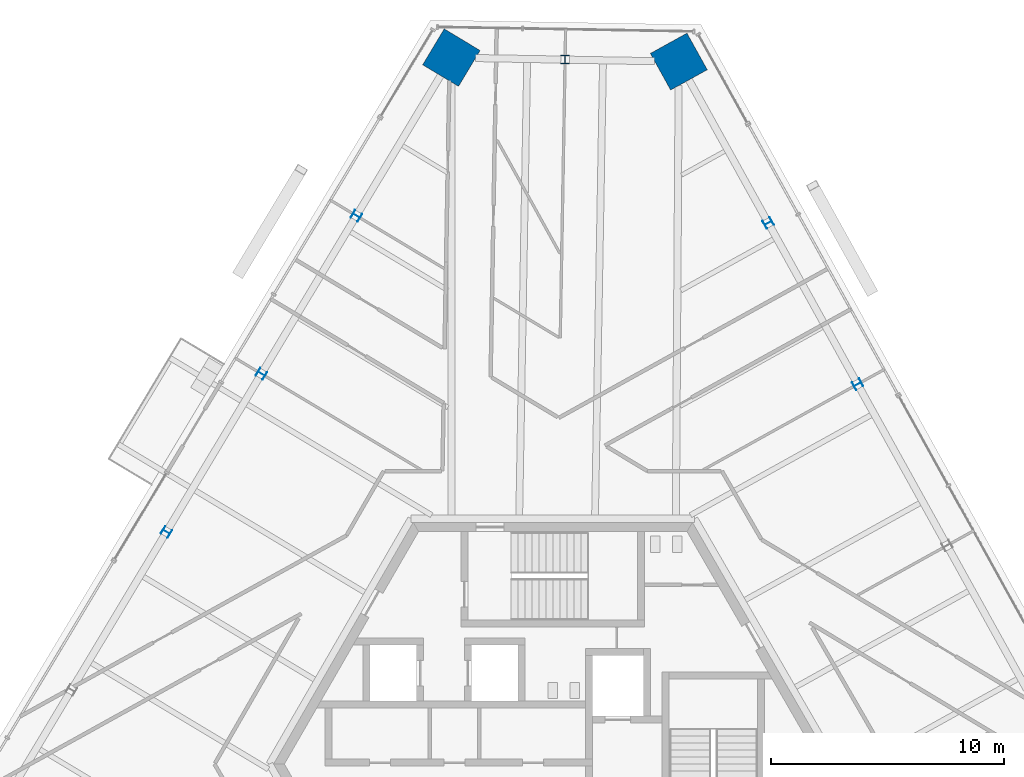
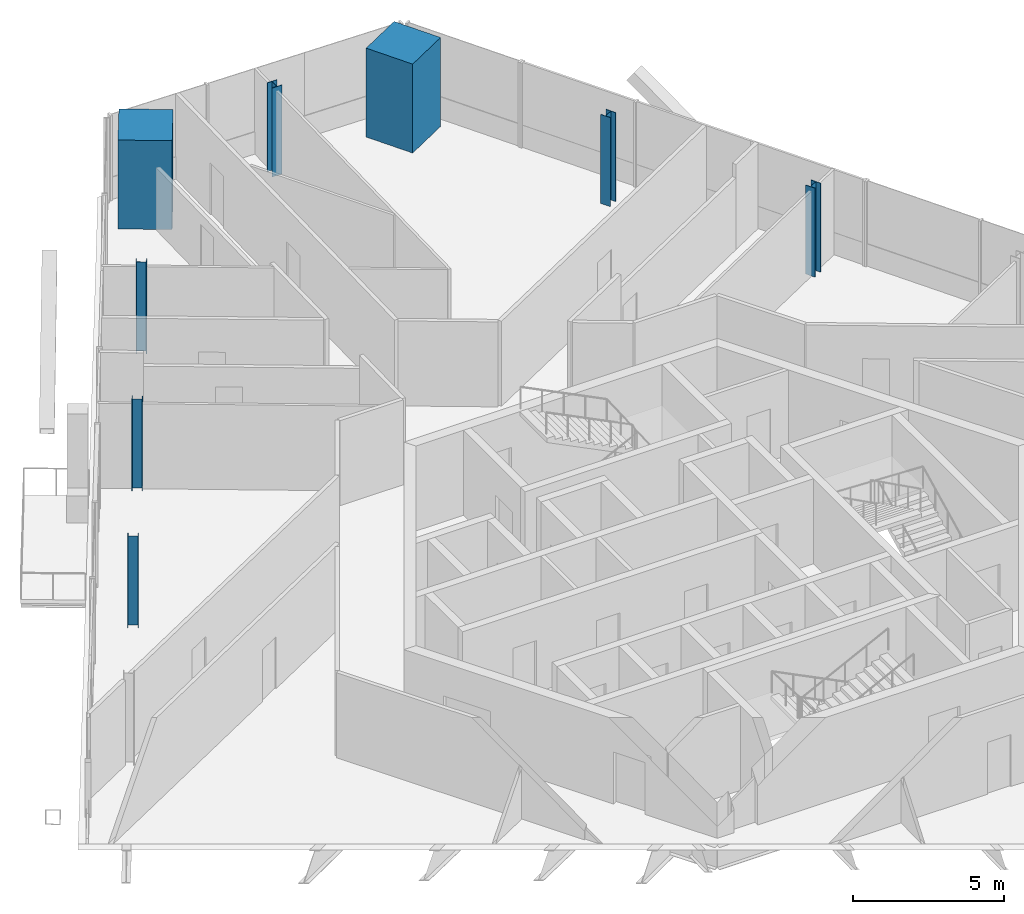
# One storey, part 3 of 19: 8 columns.
"""IFC4 building model written with IfcOpenShell, lengths in metres."""

import ifcopenshell
import ifcopenshell.guid

model = None  # the IFC model being written
_history = None  # IfcOwnerHistory: only IFC2X3 demands one
_inside = {}  # id of a spatial element -> (the spatial element, [elements in it])
_under = {}  # id of a project, library or spatial element -> (it, [spatial elements below it])
_declared = {}  # id of a project -> (the project, [libraries it declares])
_typed = {}  # id of a type object -> (the type object, [elements of that type])
_made_of = {}  # id of a material, layer set ... -> (it, [elements and type objects made of it])


def new_model(schema):
    """Start an empty IFC model of exactly this schema.

    Asked for "IFC4X3", IfcOpenShell would pick the latest addendum, in which some entities
    have other attributes; the version numbers below select the first issue.
    IFC2X3 requires an IfcOwnerHistory on every rooted entity: one is made here for all.
    """
    global model, _history
    if schema == "IFC4X3":
        model = ifcopenshell.file(schema_version=(4, 3, 0, 0))
    else:
        model = ifcopenshell.file(schema=schema)
    _inside.clear()
    _under.clear()
    _declared.clear()
    _typed.clear()
    _made_of.clear()
    _history = None
    if model.schema == "IFC2X3":
        org = make("IfcOrganization", Name="unknown")
        user = make(
            "IfcPersonAndOrganization",
            ThePerson=make("IfcPerson", FamilyName="unknown"),
            TheOrganization=org,
        )
        app = make(
            "IfcApplication",
            ApplicationDeveloper=org,
            Version="unknown",
            ApplicationFullName="unknown",
            ApplicationIdentifier="unknown",
        )
        _history = make(
            "IfcOwnerHistory",
            OwningUser=user,
            OwningApplication=app,
            ChangeAction="ADDED",
            CreationDate=0,
        )
    return model


def make(cls, **values):
    """One entity of the class cls with the attributes given. An attribute that is None is left unset."""
    return model.create_entity(
        cls, **{name: value for name, value in values.items() if value is not None}
    )


def rooted(cls, **values):
    """An entity with a GlobalId (a new one), such as an element, a storey or a relation."""
    return make(cls, GlobalId=ifcopenshell.guid.new(), OwnerHistory=_history, **values)


def si_unit(unit_type, name, prefix=None):
    """IfcSIUnit, for example si_unit("LENGTHUNIT", "METRE", prefix="MILLI")."""
    return make("IfcSIUnit", UnitType=unit_type, Prefix=prefix, Name=name)


def assignment(units):
    """IfcUnitAssignment: the units of a project."""
    return None if units is None else make("IfcUnitAssignment", Units=units)


def point(xyz):
    """IfcCartesianPoint."""
    return None if xyz is None else make("IfcCartesianPoint", Coordinates=xyz)


def direction(xyz):
    """IfcDirection."""
    return None if xyz is None else make("IfcDirection", DirectionRatios=xyz)


def frame(location, z_axis=None, x_axis=None):
    """IfcAxis2Placement3D, a coordinate frame: its origin and axes. An axis left out is left unset."""
    return make(
        "IfcAxis2Placement3D",
        Location=point(location),
        Axis=direction(z_axis),
        RefDirection=direction(x_axis),
    )


def frame_2d(location, x_axis=None):
    """IfcAxis2Placement2D, a coordinate frame in the plane: its origin and x axis."""
    return make(
        "IfcAxis2Placement2D", Location=point(location), RefDirection=direction(x_axis)
    )


def origin():
    """The frame at (0, 0, 0) with its axes left unset."""
    return frame((0.0, 0.0, 0.0))


def origin_2d():
    """The frame at (0, 0) in the plane with its x axis left unset."""
    return frame_2d((0.0, 0.0))


def place(relative_to, where):
    """IfcLocalPlacement: puts the frame where relative to a parent placement (None: the world)."""
    return make(
        "IfcLocalPlacement", PlacementRelTo=relative_to, RelativePlacement=where
    )


def context(
    kind, dimensions, precision=None, world=None, true_north=None, identifier=None
):
    """IfcGeometricRepresentationContext, for example the 3D "Model" context."""
    return make(
        "IfcGeometricRepresentationContext",
        ContextIdentifier=identifier,
        ContextType=kind,
        CoordinateSpaceDimension=dimensions,
        Precision=precision,
        WorldCoordinateSystem=world,
        TrueNorth=true_north,
    )


def subcontext(parent, identifier, kind, view, scale=None):
    """IfcGeometricRepresentationSubContext, for example "Body" below "Model"."""
    return make(
        "IfcGeometricRepresentationSubContext",
        ContextIdentifier=identifier,
        ContextType=kind,
        ParentContext=parent,
        TargetScale=scale,
        TargetView=view,
    )


def project(units=None, contexts=None):
    """IfcProject with its units and contexts."""
    return rooted(
        "IfcProject",
        Name="project",
        RepresentationContexts=contexts,
        UnitsInContext=assignment(units),
    )


def spatial(cls, under=None, at=None, **own):
    """A site, building, storey or space (cls), placed at a placement, below another one or the project."""
    s = rooted(cls, ObjectPlacement=at, **own)
    if under is not None:
        _under.setdefault(under.id(), (under, []))[1].append(s)
    return s


def profile(cls, at=None, kind="AREA", **sizes):
    """A parametric profile (cls). Its sizes go by their IFC names, for example OverallWidth=200.0."""
    return make(cls, ProfileType=kind, Position=at, **sizes)


def rectangle(**sizes):
    """IfcRectangleProfileDef."""
    return profile("IfcRectangleProfileDef", **sizes)


def i_section(**sizes):
    """IfcIShapeProfileDef."""
    return profile("IfcIShapeProfileDef", **sizes)


def extrude(swept, where, along, depth):
    """IfcExtrudedAreaSolid: the profile swept, set in the frame where, extruded along a direction by depth."""
    return make(
        "IfcExtrudedAreaSolid",
        SweptArea=swept,
        Position=where,
        ExtrudedDirection=direction(along),
        Depth=depth,
    )


def shape(context_of_items, identifier, shape_type, items):
    """IfcShapeRepresentation: the items that make up one representation, for example the "Body"."""
    return make(
        "IfcShapeRepresentation",
        ContextOfItems=context_of_items,
        RepresentationIdentifier=identifier,
        RepresentationType=shape_type,
        Items=items,
    )


def source(mapping_origin, context_of_items, identifier, shape_type, items):
    """IfcRepresentationMap: a shape defined once, which mapped items show again and again."""
    return make(
        "IfcRepresentationMap",
        MappingOrigin=mapping_origin,
        MappedRepresentation=shape(context_of_items, identifier, shape_type, items),
    )


def transform(
    local_origin,
    x_axis=None,
    y_axis=None,
    z_axis=None,
    scale=None,
    scale2=None,
    scale3=None,
    uniform=True,
):
    """IfcCartesianTransformationOperator3D, or its non-uniform kind. x_axis, y_axis, z_axis: its Axis1, 2, 3."""
    if uniform:
        return make(
            "IfcCartesianTransformationOperator3D",
            Axis1=direction(x_axis),
            Axis2=direction(y_axis),
            LocalOrigin=point(local_origin),
            Scale=scale,
            Axis3=direction(z_axis),
        )
    return make(
        "IfcCartesianTransformationOperator3DnonUniform",
        Axis1=direction(x_axis),
        Axis2=direction(y_axis),
        LocalOrigin=point(local_origin),
        Scale=scale,
        Axis3=direction(z_axis),
        Scale2=scale2,
        Scale3=scale3,
    )


def mapped(mapping_source, mapping_target):
    """IfcMappedItem: shows the shape of a source again, moved by a transform."""
    return make(
        "IfcMappedItem", MappingSource=mapping_source, MappingTarget=mapping_target
    )


def material(Name=None, Category=None):
    """IfcMaterial."""
    return make("IfcMaterial", Name=Name, Category=Category)


def material_profile(
    of_material, cross_section, Name=None, Category=None, Priority=None
):
    """IfcMaterialProfile: a cross section and its material."""
    return make(
        "IfcMaterialProfile",
        Name=Name,
        Material=of_material,
        Profile=cross_section,
        Priority=Priority,
        Category=Category,
    )


def profile_set(profiles, Name=None, composite=None):
    """IfcMaterialProfileSet."""
    return make(
        "IfcMaterialProfileSet",
        Name=Name,
        MaterialProfiles=profiles,
        CompositeProfile=composite,
    )


def made_of(thing, what):
    """Note that an element or type object is made of a material, layer set ...; save() writes the relation."""
    if what is not None:
        _made_of.setdefault(what.id(), (what, []))[1].append(thing)
    return thing


def type_object(cls, material=None, **own):
    """A type object (cls), such as IfcWallType, which elements share."""
    return made_of(rooted(cls, **own), material)


def element(
    cls,
    number,
    at=None,
    inside=None,
    cuts=None,
    type_object=None,
    material=None,
    context=None,
    identifier="Body",
    shape_type=None,
    held_by="IfcProductDefinitionShape",
    body=None,
    shapes=None,
    **own,
):
    """One element of the class cls, such as IfcWall. Its Tag is "e" and its number.

    at: its placement. inside: the storey or other place that contains it. cuts: it is an
    opening in that element (IfcRelVoidsElement). A single representation is given by context,
    identifier, shape_type and body (its items); several are given by shapes. held_by: the class
    of the entity that holds the representations. save() writes the other relations.
    """
    e = rooted(cls, Tag="e%d" % number, ObjectPlacement=at, **own)
    if body is not None:
        shapes = [shape(context, identifier, shape_type, body)]
    if shapes is not None:
        e.Representation = make(held_by, Representations=shapes)
    if inside is not None:
        _inside.setdefault(inside.id(), (inside, []))[1].append(e)
    if cuts is not None:
        rooted(
            "IfcRelVoidsElement", RelatingBuildingElement=cuts, RelatedOpeningElement=e
        )
    if type_object is not None:
        _typed.setdefault(type_object.id(), (type_object, []))[1].append(e)
    return made_of(e, material)


def aggregate(whole, parts):
    """IfcRelAggregates: a whole, such as a stair, and the parts it consists of."""
    return rooted("IfcRelAggregates", RelatingObject=whole, RelatedObjects=parts)


def save(model, path):
    """Write the relations noted so far, then the file.

    IfcRelAggregates (storeys below a building ...), IfcRelContainedInSpatialStructure (elements
    in a storey), IfcRelDefinesByType, IfcRelAssociatesMaterial and IfcRelDeclares: one each for
    every whole, place, type object, material and project.
    """
    for whole, parts in _under.values():
        aggregate(whole, parts)
    for where, things in _inside.values():
        rooted(
            "IfcRelContainedInSpatialStructure",
            RelatedElements=things,
            RelatingStructure=where,
        )
    for kind, things in _typed.values():
        rooted("IfcRelDefinesByType", RelatedObjects=things, RelatingType=kind)
    for what, things in _made_of.values():
        rooted("IfcRelAssociatesMaterial", RelatedObjects=things, RelatingMaterial=what)
    for by, libraries in _declared.values():
        rooted("IfcRelDeclares", RelatingContext=by, RelatedDefinitions=libraries)
    model.write(path)


model = new_model("IFC4")

# Units and contexts
model_context = context("Model", 3, precision=1e-05, world=origin(), true_north=direction((0.0, 1.0)))
body_context = subcontext(model_context, "Body", "Model", "MODEL_VIEW")
ifc_project = project(units=[si_unit("LENGTHUNIT", "METRE"), si_unit("AREAUNIT", "SQUARE_METRE"), si_unit("VOLUMEUNIT", "CUBIC_METRE"), si_unit("PLANEANGLEUNIT", "RADIAN"), si_unit("MASSUNIT", "GRAM", prefix="KILO")], contexts=[model_context])

# Site, building, storey
site_placement = place(None, origin())
site = spatial("IfcSite", under=ifc_project, at=site_placement, CompositionType="ELEMENT")
building_placement = place(site_placement, origin())
building = spatial("IfcBuilding", under=site, at=building_placement, Name="Triune Harvest Tower", CompositionType="ELEMENT")
storey_placement = place(building_placement, frame((0.0, 0.0, 205.10009765625)))
storey = spatial("IfcBuildingStorey", under=building, at=storey_placement, Name="L53", CompositionType="ELEMENT", Elevation=205.10009765625)

# Columns
ifc_material_1 = material(Name="Concrete 70 MPa", Category="concrete")
ifc_material_profile_1 = material_profile(ifc_material_1, rectangle(XDim=1.800048828125, YDim=1.800048828125, at=origin_2d()), Name="Composite 1800x1800")
ifc_profile_set_1 = profile_set([ifc_material_profile_1], Name="Concrete 70 MPa")
column_type_1 = type_object("IfcColumnType", Name="MC-5 Mega column Composite 1800x1800", PredefinedType="COLUMN", material=ifc_profile_set_1)
shared_shape_1 = source(origin(), body_context, "Body", "SweptSolid", [
    extrude(rectangle(XDim=1.800048828125, YDim=1.800048828125, at=origin_2d()), origin(), (0.0, 0.0, 1.0), 3.599853515625),
])
for number, where, z_axis, x_axis, name in (
    (1, (5.416015625, 30.193115234375, 0.0), (0.0, 0.0, 1.0), (-0.484809620246, 0.874619707139, 0.0), "col/L53/M6"),
    (2, (-4.359130859375, 30.36376953125, 0.0), (0.0, 0.0, 1.0), (-0.51503657887, -0.857168199612, 0.0), "col/L53/M8"),
):
    element("IfcColumn", number, at=place(storey_placement, frame(where, z_axis=z_axis, x_axis=x_axis)), inside=storey, type_object=column_type_1, Name=name, PredefinedType="COLUMN", context=body_context, shape_type="MappedRepresentation", body=[
        mapped(shared_shape_1, transform((0.0, 0.0, 0.0), scale=1.0)),
    ])
ifc_material_2 = material(Name="Steel ASTM A992 Gr 50", Category="steel")
ifc_material_profile_2 = material_profile(ifc_material_2, i_section(OverallWidth=0.370849609375, OverallDepth=0.36328125, WebThickness=0.013427734375, FlangeThickness=0.021728515625, at=origin_2d()), Name="W14x109")
ifc_profile_set_2 = profile_set([ifc_material_profile_2], Name="Steel ASTM A992 Gr 50")
column_type_2 = type_object("IfcColumnType", Name="PC-5 Perimeter column W14x109", PredefinedType="COLUMN", material=ifc_profile_set_2)
shared_shape_2 = source(origin(), body_context, "Body", "SweptSolid", [
    extrude(i_section(OverallWidth=0.370849609375, OverallDepth=0.36328125, WebThickness=0.013427734375, FlangeThickness=0.021728515625, at=origin_2d()), origin(), (0.0, 0.0, 1.0), 3.599853515625),
])
for number, where, z_axis, x_axis, name in (
    (3, (13.1025390625, 16.326416015625, 0.0), (0.0, 0.0, 1.0), (-0.484809620246, 0.874619707139, 0.0), "col/L53/P4"),
    (4, (9.25927734375, 23.259765625, 0.0), (0.0, 0.0, 1.0), (-0.484809620246, 0.874619707139, 0.0), "col/L53/P5"),
    (5, (0.528564453125, 30.2783203125, 0.0), (0.0, 0.0, 1.0), (-0.999847725615, 0.017450661374, 0.0), "col/L53/P7"),
    (6, (-8.44189453125, 23.568603515625, 0.0), (0.0, 0.0, 1.0), (-0.51503657887, -0.857168199612, 0.0), "col/L53/P9"),
    (7, (-12.524658203125, 16.773681640625, 0.0), (0.0, 0.0, 1.0), (-0.51503657887, -0.857168199612, 0.0), "col/L53/P10"),
    (8, (-16.607421875, 9.978759765625, 0.0), (0.0, 0.0, 1.0), (-0.51503657887, -0.857168199612, 0.0), "col/L53/P11"),
):
    element("IfcColumn", number, at=place(storey_placement, frame(where, z_axis=z_axis, x_axis=x_axis)), inside=storey, type_object=column_type_2, Name=name, PredefinedType="COLUMN", context=body_context, shape_type="MappedRepresentation", body=[
        mapped(shared_shape_2, transform((0.0, 0.0, 0.0), scale=1.0)),
    ])

save(model, "model.ifc")
